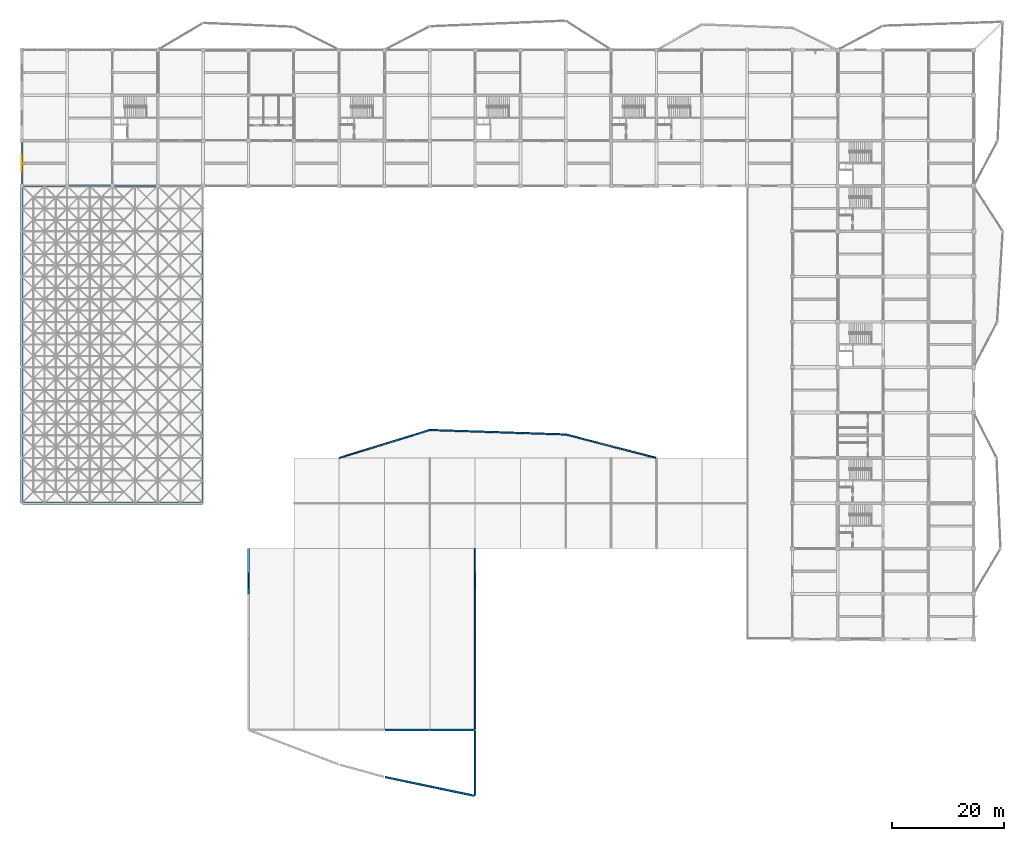
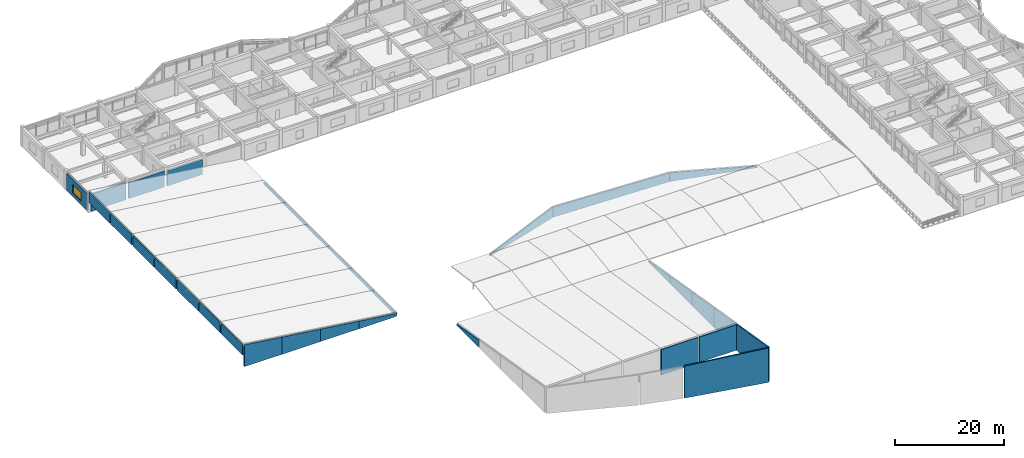
# One storey, part 46 of 70: 33 walls, 1 window, 1 opening.
"""IFC4 building model written with IfcOpenShell, lengths in metres."""

from ifc_helpers import new_model, si_unit, direction, frame, frame_2d, origin, place, context, subcontext, project, spatial, polyline, rectangle, outline, extrude, material, layer, layer_set, type_object, element, fill, save


model = new_model("IFC4")

# Units and contexts
model_context = context("Model", 3, precision=1e-05, world=origin(), true_north=direction((0.0, 1.0)))
body_context = subcontext(model_context, "Body", "Model", "MODEL_VIEW")
ifc_project = project(units=[si_unit("LENGTHUNIT", "METRE"), si_unit("AREAUNIT", "SQUARE_METRE"), si_unit("VOLUMEUNIT", "CUBIC_METRE"), si_unit("PLANEANGLEUNIT", "RADIAN"), si_unit("MASSUNIT", "GRAM", prefix="KILO")], contexts=[model_context])

# Site, building, storey
site_placement = place(None, origin())
site = spatial("IfcSite", under=ifc_project, at=site_placement, CompositionType="ELEMENT")
building_placement = place(site_placement, origin())
building = spatial("IfcBuilding", under=site, at=building_placement, Name="Vaudrelin Polytechnic", CompositionType="ELEMENT")
storey_placement = place(building_placement, frame((0.0, 0.0, 14.110107421875)))
storey = spatial("IfcBuildingStorey", under=building, at=storey_placement, Name="L03", CompositionType="ELEMENT", Elevation=14.110107421875)

# Walls
ifc_material_1 = material(Name="Precast concrete 35 MPa with standing-seam zinc rainscreen", Category="concrete")
ifc_layer_1 = layer(ifc_material_1, 0.260009765625)
ifc_layer_set_1 = layer_set([ifc_layer_1], Name="Precast concrete 35 MPa with standing-seam zinc rainscreen")
wall_type_1 = type_object("IfcWallType", Name="WAL-EW-CLER260", PredefinedType="STANDARD", material=ifc_layer_set_1)
wall_1_placement = place(storey_placement, frame((56.718994140625, 48.60595703125, -0.35009765625), z_axis=(0.0, 0.0, 1.0), x_axis=(0.955526801679, 0.294904274764, 0.0)))
element("IfcWall", 1, at=wall_1_placement, inside=storey, type_object=wall_type_1, Name="Deconstructivist pod clerestory CT_OR1-1", PredefinedType="STANDARD", context=body_context, shape_type="SweptSolid", body=[
    extrude(outline(polyline([(0.0, 0.0), (16.9140625, 0.0), (16.9140625, 2.260009765625), (0.0, 0.360107421875), (0.0, 0.0)])), frame((0.0, 0.1298828125, 0.0), z_axis=(0.0, -1.0, 0.0), x_axis=(1.0, 0.0, 0.0)), (0.0, 0.0, 1.0), 0.260009765625),
])
wall_2_placement = place(storey_placement, frame((72.919921875, 53.599365234375, -0.35009765625), z_axis=(0.0, 0.0, 1.0), x_axis=(0.999458652063, -0.03289989082, 0.0)))
element("IfcWall", 2, at=wall_2_placement, inside=storey, type_object=wall_type_1, Name="Deconstructivist pod clerestory CT_OR1-2", PredefinedType="STANDARD", context=body_context, shape_type="SweptSolid", body=[
    extrude(outline(polyline([(0.0, 0.0), (24.273193359375, 0.0), (24.273193359375, 1.9560546875), (0.0, 2.260009765625), (0.0, 0.0)])), frame((0.0, 0.1298828125, 0.0), z_axis=(0.0, -1.0, 0.0), x_axis=(1.0, 0.0, 0.0)), (0.0, 0.0, 1.0), 0.260009765625),
])
wall_3_placement = place(storey_placement, frame((97.219482421875, 52.794921875, -0.35009765625), z_axis=(0.0, 0.0, 1.0), x_axis=(0.967996635023, -0.250963173761, 0.0)))
element("IfcWall", 3, at=wall_3_placement, inside=storey, type_object=wall_type_1, Name="Deconstructivist pod clerestory CT_OR1-3", PredefinedType="STANDARD", context=body_context, shape_type="SweptSolid", body=[
    extrude(outline(polyline([(0.0, 0.0), (16.695556640625, 0.0), (16.695556640625, 0.360107421875), (0.0, 1.9560546875), (0.0, 0.0)])), frame((0.0, 0.1298828125, 0.0), z_axis=(0.0, -1.0, 0.0), x_axis=(1.0, 0.0, 0.0)), (0.0, 0.0, 1.0), 0.260009765625),
])
ifc_layer_2 = layer(ifc_material_1, 0.300048828125)
ifc_layer_set_2 = layer_set([ifc_layer_2], Name="Precast concrete 35 MPa with standing-seam zinc rainscreen")
wall_type_2 = type_object("IfcWallType", Name="WAL-EW-CLER300", PredefinedType="STANDARD", material=ifc_layer_set_2)
wall_4_placement = place(storey_placement, frame((64.924072265625, 0.0, -0.280029296875), z_axis=(0.0, 0.0, 1.0), x_axis=(1.0, 0.0, 0.0)))
element("IfcWall", 4, at=wall_4_placement, inside=storey, type_object=wall_type_2, Name="Lecture wedge high-side fascia wall 8", PredefinedType="STANDARD", context=body_context, shape_type="SweptSolid", body=[
    extrude(rectangle(XDim=7.851806640625, YDim=0.300048828125, at=frame_2d((3.92578125, 0.0))), origin(), (0.0, 0.0, 1.0), 5.69189453125),
])
wall_5_placement = place(storey_placement, frame((73.02392578125, 0.0, -0.280029296875), z_axis=(0.0, 0.0, 1.0), x_axis=(1.0, 0.0, 0.0)))
element("IfcWall", 5, at=wall_5_placement, inside=storey, type_object=wall_type_2, Name="Lecture wedge high-side fascia wall 9", PredefinedType="STANDARD", context=body_context, shape_type="SweptSolid", body=[
    extrude(rectangle(XDim=7.85205078125, YDim=0.300048828125, at=frame_2d((3.926025390625, 0.0))), origin(), (0.0, 0.0, 1.0), 5.69189453125),
])
wall_6_placement = place(storey_placement, frame((40.5, 24.302001953125, -0.280029296875), z_axis=(0.0, 0.0, 1.0), x_axis=(0.0, 1.0, 0.0)))
element("IfcWall", 6, at=wall_6_placement, inside=storey, type_object=wall_type_2, Name="Lecture wedge W gable wall 4", PredefinedType="STANDARD", context=body_context, shape_type="SweptSolid", body=[
    extrude(outline(polyline([(0.0, 0.0), (8.095947265625, 0.0), (8.095947265625, 0.270263671875), (0.0, 1.625), (0.0, 0.0)])), frame((0.0, 0.14990234375, 0.0), z_axis=(0.0, -1.0, 0.0), x_axis=(1.0, 0.0, 0.0)), (0.0, 0.0, 1.0), 0.300048828125),
])
wall_7_placement = place(storey_placement, frame((81.0, 0.1240234375, -0.280029296875), z_axis=(0.0, 0.0, 1.0), x_axis=(0.0, 1.0, 0.0)))
element("IfcWall", 7, at=wall_7_placement, inside=storey, type_object=wall_type_2, Name="Lecture wedge E gable wall 1", PredefinedType="STANDARD", context=body_context, shape_type="SweptSolid", body=[
    extrude(outline(polyline([(0.0, 0.0), (7.973876953125, 0.0), (7.97412109375, 4.336669921875), (0.0, 5.671142578125), (0.0, 0.0)])), frame((0.0, 0.14990234375, 0.0), z_axis=(0.0, -1.0, 0.0), x_axis=(1.0, 0.0, 0.0)), (0.0, 0.0, 1.0), 0.300048828125),
])
wall_8_placement = place(storey_placement, frame((81.0, 8.10205078125, -0.280029296875), z_axis=(0.0, 0.0, 1.0), x_axis=(0.0, 1.0, 0.0)))
element("IfcWall", 8, at=wall_8_placement, inside=storey, type_object=wall_type_2, Name="Lecture wedge E gable wall 2", PredefinedType="STANDARD", context=body_context, shape_type="SweptSolid", body=[
    extrude(outline(polyline([(0.0, 0.0), (8.095947265625, 0.0), (8.095947265625, 2.981201171875), (0.0, 4.3359375), (0.0, 0.0)])), frame((0.0, 0.14990234375, 0.0), z_axis=(0.0, -1.0, 0.0), x_axis=(1.0, 0.0, 0.0)), (0.0, 0.0, 1.0), 0.300048828125),
])
wall_9_placement = place(storey_placement, frame((81.0, 16.201904296875, -0.280029296875), z_axis=(0.0, 0.0, 1.0), x_axis=(0.0, 1.0, 0.0)))
element("IfcWall", 9, at=wall_9_placement, inside=storey, type_object=wall_type_2, Name="Lecture wedge E gable wall 3", PredefinedType="STANDARD", context=body_context, shape_type="SweptSolid", body=[
    extrude(outline(polyline([(0.0, 0.0), (8.09619140625, 0.0), (8.095947265625, 1.625732421875), (0.0, 2.98046875), (0.0, 0.0)])), frame((0.0, 0.14990234375, 0.0), z_axis=(0.0, -1.0, 0.0), x_axis=(1.0, 0.0, 0.0)), (0.0, 0.0, 1.0), 0.300048828125),
])
wall_10_placement = place(storey_placement, frame((81.0, 24.302001953125, -0.280029296875), z_axis=(0.0, 0.0, 1.0), x_axis=(0.0, 1.0, 0.0)))
element("IfcWall", 10, at=wall_10_placement, inside=storey, type_object=wall_type_2, Name="Lecture wedge E gable wall 4", PredefinedType="STANDARD", context=body_context, shape_type="SweptSolid", body=[
    extrude(outline(polyline([(0.0, 0.0), (8.095947265625, 0.0), (8.095947265625, 0.270263671875), (0.0, 1.625), (0.0, 0.0)])), frame((0.0, 0.14990234375, 0.0), z_axis=(0.0, -1.0, 0.0), x_axis=(1.0, 0.0, 0.0)), (0.0, 0.0, 1.0), 0.300048828125),
])
wall_11_placement = place(storey_placement, frame((64.94677734375, -8.430908203125, -0.35009765625), z_axis=(0.0, 0.0, 1.0), x_axis=(0.978678052147, -0.205400268369, 0.0)))
element("IfcWall", 11, at=wall_11_placement, inside=storey, type_object=wall_type_2, Name="Lecture prow raked attic fascia 3", PredefinedType="STANDARD", context=body_context, shape_type="SweptSolid", body=[
    extrude(outline(polyline([(0.0, 0.0), (16.2529296875, 0.0), (16.2529296875, 7.703857421875), (0.0, 7.153076171875), (0.0, 0.0)])), frame((0.0, 0.14990234375, 0.0), z_axis=(0.0, -1.0, 0.0), x_axis=(1.0, 0.0, 0.0)), (0.0, 0.0, 1.0), 0.300048828125),
])
wall_12_placement = place(storey_placement, frame((81.0, -11.64990234375, -0.35009765625), z_axis=(0.0, 0.0, 1.0), x_axis=(0.0, 1.0, 0.0)))
element("IfcWall", 12, at=wall_12_placement, inside=storey, type_object=wall_type_2, Name="Lecture prow raked attic fascia 4", PredefinedType="STANDARD", context=body_context, shape_type="SweptSolid", body=[
    extrude(outline(polyline([(0.0, 0.0), (11.5, 0.0), (11.5, 5.78662109375), (0.0, 7.68408203125), (0.0, 0.0)])), frame((0.0, 0.14990234375, 0.0), z_axis=(0.0, -1.0, 0.0), x_axis=(1.0, 0.0, 0.0)), (0.0, 0.0, 1.0), 0.300048828125),
])
ifc_layer_3 = layer(ifc_material_1, 0.300048828125)
ifc_layer_set_3 = layer_set([ifc_layer_3], Name="Precast concrete 35 MPa with standing-seam zinc rainscreen")
wall_type_3 = type_object("IfcWallType", Name="WAL-EW-ZINC300", PredefinedType="STANDARD", material=ifc_layer_set_3)
wall_13_placement = place(storey_placement, frame((0.0, 40.6240234375, 2.2353515625), z_axis=(0.0, 0.0, 1.0), x_axis=(0.0, 1.0, 0.0)))
element("IfcWall", 13, at=wall_13_placement, inside=storey, type_object=wall_type_3, Name="Workshop west space-frame fascia 5", PredefinedType="STANDARD", context=body_context, shape_type="SweptSolid", body=[
    extrude(rectangle(XDim=7.781005859375, YDim=0.300048828125, at=frame_2d((3.890625, 0.0))), origin(), (0.0, 0.0, 1.0), 2.39013671875),
])
wall_14_placement = place(storey_placement, frame((32.39990234375, 40.6240234375, -0.280029296875), z_axis=(0.0, 0.0, 1.0), x_axis=(0.0, 1.0, 0.0)))
element("IfcWall", 14, at=wall_14_placement, inside=storey, type_object=wall_type_3, Name="Workshop east space-frame fascia 5", PredefinedType="STANDARD", context=body_context, shape_type="SweptSolid", body=[
    extrude(rectangle(XDim=7.781005859375, YDim=0.300048828125, at=frame_2d((3.890625, 0.0))), origin(), (0.0, 0.0, 1.0), 0.639892578125),
])
wall_15_placement = place(storey_placement, frame((0.0, 48.794921875, 2.2353515625), z_axis=(0.0, 0.0, 1.0), x_axis=(0.0, 1.0, 0.0)))
element("IfcWall", 15, at=wall_15_placement, inside=storey, type_object=wall_type_3, Name="Workshop west space-frame fascia 6", PredefinedType="STANDARD", context=body_context, shape_type="SweptSolid", body=[
    extrude(rectangle(XDim=7.781005859375, YDim=0.300048828125, at=frame_2d((3.890625, 0.0))), origin(), (0.0, 0.0, 1.0), 2.39013671875),
])
wall_16_placement = place(storey_placement, frame((32.39990234375, 48.794921875, -0.280029296875), z_axis=(0.0, 0.0, 1.0), x_axis=(0.0, 1.0, 0.0)))
element("IfcWall", 16, at=wall_16_placement, inside=storey, type_object=wall_type_3, Name="Workshop east space-frame fascia 6", PredefinedType="STANDARD", context=body_context, shape_type="SweptSolid", body=[
    extrude(rectangle(XDim=7.781005859375, YDim=0.300048828125, at=frame_2d((3.890625, 0.0))), origin(), (0.0, 0.0, 1.0), 0.639892578125),
])
wall_17_placement = place(storey_placement, frame((0.0, 56.823974609375, 2.2353515625), z_axis=(0.0, 0.0, 1.0), x_axis=(0.0, 1.0, 0.0)))
element("IfcWall", 17, at=wall_17_placement, inside=storey, type_object=wall_type_3, Name="Workshop west space-frame fascia 7", PredefinedType="STANDARD", context=body_context, shape_type="SweptSolid", body=[
    extrude(rectangle(XDim=7.781005859375, YDim=0.300048828125, at=frame_2d((3.890625, 0.0))), origin(), (0.0, 0.0, 1.0), 2.39013671875),
])
wall_18_placement = place(storey_placement, frame((32.39990234375, 56.823974609375, -0.280029296875), z_axis=(0.0, 0.0, 1.0), x_axis=(0.0, 1.0, 0.0)))
element("IfcWall", 18, at=wall_18_placement, inside=storey, type_object=wall_type_3, Name="Workshop east space-frame fascia 7", PredefinedType="STANDARD", context=body_context, shape_type="SweptSolid", body=[
    extrude(rectangle(XDim=7.781005859375, YDim=0.300048828125, at=frame_2d((3.890625, 0.0))), origin(), (0.0, 0.0, 1.0), 0.639892578125),
])
wall_19_placement = place(storey_placement, frame((0.0, 64.9951171875, 2.2353515625), z_axis=(0.0, 0.0, 1.0), x_axis=(0.0, 1.0, 0.0)))
element("IfcWall", 19, at=wall_19_placement, inside=storey, type_object=wall_type_3, Name="Workshop west space-frame fascia 8", PredefinedType="STANDARD", context=body_context, shape_type="SweptSolid", body=[
    extrude(rectangle(XDim=7.78076171875, YDim=0.300048828125, at=frame_2d((3.890380859375, 0.0))), origin(), (0.0, 0.0, 1.0), 2.39013671875),
])
wall_20_placement = place(storey_placement, frame((32.39990234375, 64.9951171875, -0.280029296875), z_axis=(0.0, 0.0, 1.0), x_axis=(0.0, 1.0, 0.0)))
element("IfcWall", 20, at=wall_20_placement, inside=storey, type_object=wall_type_3, Name="Workshop east space-frame fascia 8", PredefinedType="STANDARD", context=body_context, shape_type="SweptSolid", body=[
    extrude(rectangle(XDim=7.78076171875, YDim=0.300048828125, at=frame_2d((3.890380859375, 0.0))), origin(), (0.0, 0.0, 1.0), 0.639892578125),
])
wall_21_placement = place(storey_placement, frame((0.0, 73.02392578125, 2.2353515625), z_axis=(0.0, 0.0, 1.0), x_axis=(0.0, 1.0, 0.0)))
element("IfcWall", 21, at=wall_21_placement, inside=storey, type_object=wall_type_3, Name="Workshop west space-frame fascia 9", PredefinedType="STANDARD", context=body_context, shape_type="SweptSolid", body=[
    extrude(rectangle(XDim=7.781005859375, YDim=0.300048828125, at=frame_2d((3.890625, 0.0))), origin(), (0.0, 0.0, 1.0), 2.39013671875),
])
wall_22_placement = place(storey_placement, frame((32.39990234375, 73.02392578125, -0.280029296875), z_axis=(0.0, 0.0, 1.0), x_axis=(0.0, 1.0, 0.0)))
element("IfcWall", 22, at=wall_22_placement, inside=storey, type_object=wall_type_3, Name="Workshop east space-frame fascia 9", PredefinedType="STANDARD", context=body_context, shape_type="SweptSolid", body=[
    extrude(rectangle(XDim=7.781005859375, YDim=0.300048828125, at=frame_2d((3.890625, 0.0))), origin(), (0.0, 0.0, 1.0), 0.639892578125),
])
wall_23_placement = place(storey_placement, frame((0.0, 81.195068359375, 2.2353515625), z_axis=(0.0, 0.0, 1.0), x_axis=(0.0, 1.0, 0.0)))
element("IfcWall", 23, at=wall_23_placement, inside=storey, type_object=wall_type_3, Name="Workshop west space-frame fascia 10", PredefinedType="STANDARD", context=body_context, shape_type="SweptSolid", body=[
    extrude(rectangle(XDim=7.781005859375, YDim=0.300048828125, at=frame_2d((3.890625, 0.0))), origin(), (0.0, 0.0, 1.0), 2.39013671875),
])
wall_24_placement = place(storey_placement, frame((32.39990234375, 81.195068359375, -0.280029296875), z_axis=(0.0, 0.0, 1.0), x_axis=(0.0, 1.0, 0.0)))
element("IfcWall", 24, at=wall_24_placement, inside=storey, type_object=wall_type_3, Name="Workshop east space-frame fascia 10", PredefinedType="STANDARD", context=body_context, shape_type="SweptSolid", body=[
    extrude(rectangle(XDim=7.781005859375, YDim=0.300048828125, at=frame_2d((3.890625, 0.0))), origin(), (0.0, 0.0, 1.0), 0.639892578125),
])
wall_25_placement = place(storey_placement, frame((0.0, 89.22412109375, 2.2353515625), z_axis=(0.0, 0.0, 1.0), x_axis=(0.0, 1.0, 0.0)))
element("IfcWall", 25, at=wall_25_placement, inside=storey, type_object=wall_type_3, Name="Workshop west space-frame fascia 11", PredefinedType="STANDARD", context=body_context, shape_type="SweptSolid", body=[
    extrude(rectangle(XDim=7.7158203125, YDim=0.300048828125, at=frame_2d((3.85791015625, 0.0))), origin(), (0.0, 0.0, 1.0), 2.39013671875),
])
wall_26_placement = place(storey_placement, frame((0.1240234375, 40.5, -0.295166015625), z_axis=(0.0, 0.0, 1.0), x_axis=(1.0, 0.0, 0.0)))
element("IfcWall", 26, at=wall_26_placement, inside=storey, type_object=wall_type_3, Name="Workshop south sloped gable wall 1", PredefinedType="STANDARD", context=body_context, shape_type="SweptSolid", body=[
    extrude(outline(polyline([(0.0, 0.0), (7.973876953125, 0.0), (7.97412109375, 3.83447265625), (0.0, 4.88427734375), (0.0, 0.0)])), frame((0.0, 0.14990234375, 0.0), z_axis=(0.0, -1.0, 0.0), x_axis=(1.0, 0.0, 0.0)), (0.0, 0.0, 1.0), 0.300048828125),
])
wall_27_placement = place(storey_placement, frame((8.10205078125, 40.5, -0.295166015625), z_axis=(0.0, 0.0, 1.0), x_axis=(1.0, 0.0, 0.0)))
element("IfcWall", 27, at=wall_27_placement, inside=storey, type_object=wall_type_3, Name="Workshop south sloped gable wall 2", PredefinedType="STANDARD", context=body_context, shape_type="SweptSolid", body=[
    extrude(outline(polyline([(0.0, 0.0), (8.095947265625, 0.0), (8.095947265625, 2.76806640625), (0.0, 3.833984375), (0.0, 0.0)])), frame((0.0, 0.14990234375, 0.0), z_axis=(0.0, -1.0, 0.0), x_axis=(1.0, 0.0, 0.0)), (0.0, 0.0, 1.0), 0.300048828125),
])
wall_28_placement = place(storey_placement, frame((16.201904296875, 40.5, -0.295166015625), z_axis=(0.0, 0.0, 1.0), x_axis=(1.0, 0.0, 0.0)))
element("IfcWall", 28, at=wall_28_placement, inside=storey, type_object=wall_type_3, Name="Workshop south sloped gable wall 3", PredefinedType="STANDARD", context=body_context, shape_type="SweptSolid", body=[
    extrude(outline(polyline([(0.0, 0.0), (8.09619140625, 0.0), (8.095947265625, 1.70166015625), (0.0, 2.767578125), (0.0, 0.0)])), frame((0.0, 0.14990234375, 0.0), z_axis=(0.0, -1.0, 0.0), x_axis=(1.0, 0.0, 0.0)), (0.0, 0.0, 1.0), 0.300048828125),
])
wall_29_placement = place(storey_placement, frame((24.302001953125, 40.5, -0.295166015625), z_axis=(0.0, 0.0, 1.0), x_axis=(1.0, 0.0, 0.0)))
element("IfcWall", 29, at=wall_29_placement, inside=storey, type_object=wall_type_3, Name="Workshop south sloped gable wall 4", PredefinedType="STANDARD", context=body_context, shape_type="SweptSolid", body=[
    extrude(outline(polyline([(0.0, 0.0), (7.973876953125, 0.0), (7.97412109375, 0.6513671875), (0.0, 1.701171875), (0.0, 0.0)])), frame((0.0, 0.14990234375, 0.0), z_axis=(0.0, -1.0, 0.0), x_axis=(1.0, 0.0, 0.0)), (0.0, 0.0, 1.0), 0.300048828125),
])

# Wall, opening, window
ifc_layer_4 = layer(ifc_material_1, 0.360107421875)
ifc_layer_set_4 = layer_set([ifc_layer_4], Name="Precast concrete 35 MPa with standing-seam zinc rainscreen")
wall_type_4 = type_object("IfcWallType", Name="WAL-EW-ZINC360", PredefinedType="STANDARD", material=ifc_layer_set_4)
wall_30_placement = place(storey_placement, frame((0.0, 97.52294921875, 0.0), z_axis=(0.0, 0.0, 1.0), x_axis=(0.0, 1.0, 0.0)))
wall_30 = element("IfcWall", 30, at=wall_30_placement, inside=storey, type_object=wall_type_4, Name="Exterior wall L03 W_V5_00", PredefinedType="STANDARD", context=body_context, shape_type="SweptSolid", body=[
    extrude(rectangle(XDim=7.4541015625, YDim=0.360107421875, at=frame_2d((3.72705078125, 0.0))), origin(), (0.0, 0.0, 1.0), 3.85693359375),
])
opening_placement = place(wall_30_placement, frame((2.201904296875, 0.0, 0.85009765625)))
opening = element("IfcOpeningElement", 31, at=opening_placement, cuts=wall_30, Name="Opening W-L03-W-V5-01", PredefinedType="OPENING", context=body_context, shape_type="SweptSolid", body=[
    extrude(rectangle(XDim=3.050048828125, YDim=1.85009765625, at=frame_2d((1.52490234375, 0.925048828125))), frame((0.0, 0.18994140625, 0.0), z_axis=(0.0, -1.0, 0.0), x_axis=(1.0, 0.0, 0.0)), (0.0, 0.0, 1.0), 0.380126953125),
])
ifc_material_2 = material(Name="Thermally broken aluminium frame with triple low-e glazing", Category="aluminium")
window_type = type_object("IfcWindowType", Name="WIN-WN-30", PartitioningType="SINGLE_PANEL", PredefinedType="WINDOW", material=ifc_material_2)
window_placement = place(opening_placement, origin())
window = element("IfcWindow", 32, at=window_placement, inside=storey, type_object=window_type, Name="Facade window L03-W_V5_00", OverallHeight=1.85009765625, OverallWidth=3.050048828125, PartitioningType="SINGLE_PANEL", PredefinedType="WINDOW", context=body_context, shape_type="SweptSolid", body=[
    extrude(rectangle(XDim=3.050048828125, YDim=1.85009765625, at=frame_2d((1.52490234375, 0.925048828125))), frame((0.0, 0.030029296875, 0.0), z_axis=(0.0, -1.0, 0.0), x_axis=(1.0, 0.0, 0.0)), (0.0, 0.0, 1.0), 0.06005859375),
])
fill(opening, window)

# Walls
wall_31_placement = place(storey_placement, frame((0.322998046875, 97.199951171875, 0.0), z_axis=(0.0, 0.0, 1.0), x_axis=(1.0, 0.0, 0.0)))
element("IfcWall", 33, at=wall_31_placement, inside=storey, type_object=wall_type_4, Name="Exterior wall L03 S_V5_00", PredefinedType="STANDARD", context=body_context, shape_type="SweptSolid", body=[
    extrude(rectangle(XDim=7.4541015625, YDim=0.360107421875, at=frame_2d((3.72705078125, 0.0))), origin(), (0.0, 0.0, 1.0), 3.746826171875),
])
wall_32_placement = place(storey_placement, frame((8.423095703125, 97.199951171875, 0.0), z_axis=(0.0, 0.0, 1.0), x_axis=(1.0, 0.0, 0.0)))
element("IfcWall", 34, at=wall_32_placement, inside=storey, type_object=wall_type_4, Name="Exterior wall L03 S_V5_01", PredefinedType="STANDARD", context=body_context, shape_type="SweptSolid", body=[
    extrude(rectangle(XDim=7.453857421875, YDim=0.360107421875, at=frame_2d((3.72705078125, 0.0))), origin(), (0.0, 0.0, 1.0), 3.56201171875),
])
wall_33_placement = place(storey_placement, frame((16.52294921875, 97.199951171875, 0.0), z_axis=(0.0, 0.0, 1.0), x_axis=(1.0, 0.0, 0.0)))
element("IfcWall", 35, at=wall_33_placement, inside=storey, type_object=wall_type_4, Name="Exterior wall L03 S_V5_02", PredefinedType="STANDARD", context=body_context, shape_type="SweptSolid", body=[
    extrude(rectangle(XDim=7.4541015625, YDim=0.360107421875, at=frame_2d((3.72705078125, 0.0))), origin(), (0.0, 0.0, 1.0), 3.31201171875),
])

save(model, "model.ifc")
